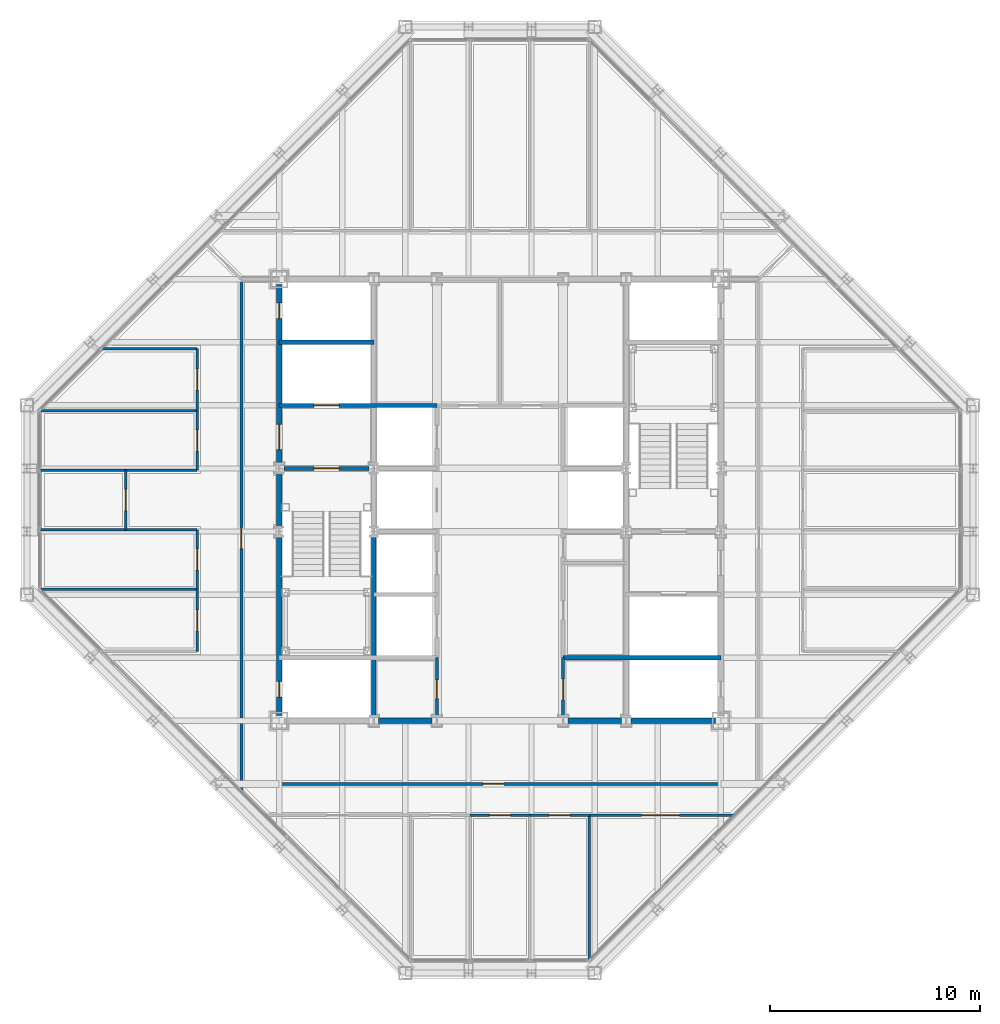
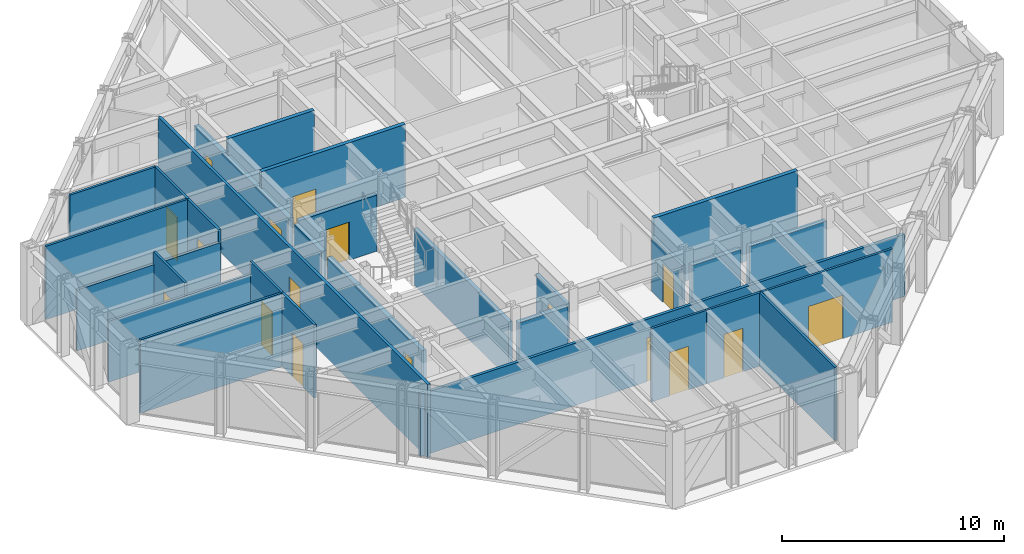
# One storey, part 10 of 15: 29 walls, 17 doors, 17 openings.
"""IFC4 building model written with IfcOpenShell, lengths in metres."""

from ifc_helpers import new_model, si_unit, direction, frame, frame_2d, origin, place, context, subcontext, project, spatial, rectangle, extrude, material, layer, layer_set, type_object, element, fill, save


model = new_model("IFC4")

# Units and contexts
model_context = context("Model", 3, precision=1e-05, world=origin(), true_north=direction((0.0, 1.0)))
body_context = subcontext(model_context, "Body", "Model", "MODEL_VIEW")
ifc_project = project(units=[si_unit("LENGTHUNIT", "METRE"), si_unit("AREAUNIT", "SQUARE_METRE"), si_unit("VOLUMEUNIT", "CUBIC_METRE"), si_unit("PLANEANGLEUNIT", "RADIAN"), si_unit("MASSUNIT", "GRAM", prefix="KILO")], contexts=[model_context])

# Site, building, storey
site_placement = place(None, origin())
site = spatial("IfcSite", under=ifc_project, at=site_placement, CompositionType="ELEMENT")
building_placement = place(site_placement, origin())
building = spatial("IfcBuilding", under=site, at=building_placement, Name="Chuquiago Exchange Tower", CompositionType="ELEMENT")
storey_placement = place(building_placement, frame((0.0, 0.0, 262.199951171875)))
storey = spatial("IfcBuildingStorey", under=building, at=storey_placement, Name="L58", CompositionType="ELEMENT", Elevation=262.199951171875)

# Wall, opening, door
ifc_material_1 = material(Name="Concrete masonry, fully grouted", Category="masonry")
ifc_layer_1 = layer(ifc_material_1, 0.25)
ifc_layer_set_1 = layer_set([ifc_layer_1], Name="W1 core wall 250")
wall_type_1 = type_object("IfcWallType", Name="W1 core wall 250", PredefinedType="SOLIDWALL", material=ifc_layer_set_1)
wall_1_placement = place(storey_placement, frame((12.0, 12.25, 0.0), z_axis=(0.0, 0.0, 1.0), x_axis=(0.0, 1.0, 0.0)))
wall_1 = element("IfcWall", 1, at=wall_1_placement, inside=storey, type_object=wall_type_1, Name="CW-L58-00-0", PredefinedType="SOLIDWALL", context=body_context, shape_type="SweptSolid", body=[
    extrude(rectangle(XDim=8.5, YDim=0.25, at=frame_2d((4.25, 0.0))), origin(), (0.0, 0.0, 1.0), 3.113037109375),
])
opening_1_placement = place(wall_1_placement, frame((0.875, 0.0, 0.0)))
opening_1 = element("IfcOpeningElement", 2, at=opening_1_placement, cuts=wall_1, Name="Opening L58-007", PredefinedType="OPENING", context=body_context, shape_type="SweptSolid", body=[
    extrude(rectangle(XDim=0.75, YDim=2.10009765625, at=frame_2d((0.375, 1.050048828125))), frame((0.0, 0.135009765625, 0.0), z_axis=(0.0, -1.0, 0.0), x_axis=(1.0, 0.0, 0.0)), (0.0, 0.0, 1.0), 0.27001953125),
])
ifc_material_2 = material(Name="Steel door, painted", Category="steel")
door_type_1 = type_object("IfcDoorType", Name="D6 riser access door 750x2100", OperationType="SINGLE_SWING_LEFT", PredefinedType="DOOR", material=ifc_material_2)
door_1_placement = place(opening_1_placement, frame((0.75, 0.0, 0.0), z_axis=(0.0, 0.0, 1.0), x_axis=(-1.0, 0.0, 0.0)))
door_1 = element("IfcDoor", 3, at=door_1_placement, inside=storey, type_object=door_type_1, Name="Riser RW1 door", OperationType="SINGLE_SWING_RIGHT", OverallHeight=2.10009765625, OverallWidth=0.75, PredefinedType="DOOR", context=body_context, shape_type="SweptSolid", body=[
    extrude(rectangle(XDim=0.75, YDim=2.10009765625, at=frame_2d((0.375, 1.050048828125))), frame((0.0, 0.02490234375, 0.0), z_axis=(0.0, -1.0, 0.0), x_axis=(1.0, 0.0, 0.0)), (0.0, 0.0, 1.0), 0.050048828125),
])
fill(opening_1, door_1)

# Wall
wall_2_placement = place(storey_placement, frame((12.0, 21.25, 0.0), z_axis=(0.0, 0.0, 1.0), x_axis=(0.0, 1.0, 0.0)))
element("IfcWall", 4, at=wall_2_placement, inside=storey, type_object=wall_type_1, Name="CW-L58-00-1", PredefinedType="SOLIDWALL", context=body_context, shape_type="SweptSolid", body=[
    extrude(rectangle(XDim=2.5, YDim=0.25, at=frame_2d((1.25, 0.0))), origin(), (0.0, 0.0, 1.0), 3.113037109375),
])

# Wall, openings, doors
wall_3_placement = place(storey_placement, frame((12.0, 24.25, 0.0), z_axis=(0.0, 0.0, 1.0), x_axis=(0.0, 1.0, 0.0)))
wall_3 = element("IfcWall", 5, at=wall_3_placement, inside=storey, type_object=wall_type_1, Name="CW-L58-00-2", PredefinedType="SOLIDWALL", context=body_context, shape_type="SweptSolid", body=[
    extrude(rectangle(XDim=8.5, YDim=0.25, at=frame_2d((4.25, 0.0))), origin(), (0.0, 0.0, 1.0), 3.113037109375),
])
opening_2_placement = place(wall_3_placement, frame((0.64990234375, 0.0, 0.0)))
opening_2 = element("IfcOpeningElement", 6, at=opening_2_placement, cuts=wall_3, Name="Opening L58-002", PredefinedType="OPENING", context=body_context, shape_type="SweptSolid", body=[
    extrude(rectangle(XDim=1.199951171875, YDim=2.10009765625, at=frame_2d((0.60009765625, 1.050048828125))), frame((0.0, 0.135009765625, 0.0), z_axis=(0.0, -1.0, 0.0), x_axis=(1.0, 0.0, 0.0)), (0.0, 0.0, 1.0), 0.27001953125),
])
opening_3_placement = place(wall_3_placement, frame((6.875, 0.0, 0.0)))
opening_3 = element("IfcOpeningElement", 7, at=opening_3_placement, cuts=wall_3, Name="Opening L58-008", PredefinedType="OPENING", context=body_context, shape_type="SweptSolid", body=[
    extrude(rectangle(XDim=0.75, YDim=2.10009765625, at=frame_2d((0.375, 1.050048828125))), frame((0.0, 0.135009765625, 0.0), z_axis=(0.0, -1.0, 0.0), x_axis=(1.0, 0.0, 0.0)), (0.0, 0.0, 1.0), 0.27001953125),
])
ifc_material_3 = material(Name="Steel door, painted", Category="steel")
door_type_2 = type_object("IfcDoorType", Name="D5 firefighting lobby door 1200x2100", OperationType="SINGLE_SWING_LEFT", PredefinedType="DOOR", material=ifc_material_3)
door_2_placement = place(opening_2_placement, frame((1.199951171875, 0.0, 0.0), z_axis=(0.0, 0.0, 1.0), x_axis=(-1.0, 0.0, 0.0)))
door_2 = element("IfcDoor", 8, at=door_2_placement, inside=storey, type_object=door_type_2, Name="Firefighting lobby 1 door", OperationType="SINGLE_SWING_RIGHT", OverallHeight=2.10009765625, OverallWidth=1.199951171875, PredefinedType="DOOR", context=body_context, shape_type="SweptSolid", body=[
    extrude(rectangle(XDim=1.199951171875, YDim=2.10009765625, at=frame_2d((0.60009765625, 1.050048828125))), frame((0.0, 0.02490234375, 0.0), z_axis=(0.0, -1.0, 0.0), x_axis=(1.0, 0.0, 0.0)), (0.0, 0.0, 1.0), 0.050048828125),
])
fill(opening_2, door_2)
door_3_placement = place(opening_3_placement, frame((0.75, 0.0, 0.0), z_axis=(0.0, 0.0, 1.0), x_axis=(-1.0, 0.0, 0.0)))
door_3 = element("IfcDoor", 9, at=door_3_placement, inside=storey, type_object=door_type_1, Name="Riser RW2 door", OperationType="SINGLE_SWING_LEFT", OverallHeight=2.10009765625, OverallWidth=0.75, PredefinedType="DOOR", context=body_context, shape_type="SweptSolid", body=[
    extrude(rectangle(XDim=0.75, YDim=2.10009765625, at=frame_2d((0.375, 1.050048828125))), frame((0.0, 0.02490234375, 0.0), z_axis=(0.0, -1.0, 0.0), x_axis=(1.0, 0.0, 0.0)), (0.0, 0.0, 1.0), 0.050048828125),
])
fill(opening_3, door_3)

# Walls
for number, where, z_axis, x_axis, name in (
    (10, (16.724853515625, 12.0, 0.0), (0.0, 0.0, 1.0), (1.0, 0.0, 0.0), "CW-L58-01-1"),
    (11, (25.724853515625, 12.0, 0.0), (0.0, 0.0, 1.0), (1.0, 0.0, 0.0), "CW-L58-02-0"),
):
    element("IfcWall", number, at=place(storey_placement, frame(where, z_axis=z_axis, x_axis=x_axis)), inside=storey, type_object=wall_type_1, Name=name, PredefinedType="SOLIDWALL", context=body_context, shape_type="SweptSolid", body=[
        extrude(rectangle(XDim=2.55029296875, YDim=0.25, at=frame_2d((1.275146484375, 0.0))), origin(), (0.0, 0.0, 1.0), 3.181640625),
    ])
wall_4_placement = place(storey_placement, frame((28.724853515625, 12.0, 0.0), z_axis=(0.0, 0.0, 1.0), x_axis=(1.0, 0.0, 0.0)))
element("IfcWall", 12, at=wall_4_placement, inside=storey, type_object=wall_type_1, Name="CW-L58-02-1", PredefinedType="SOLIDWALL", context=body_context, shape_type="SweptSolid", body=[
    extrude(rectangle(XDim=4.025146484375, YDim=0.25, at=frame_2d((2.0126953125, 0.0))), origin(), (0.0, 0.0, 1.0), 3.181640625),
])

# Wall, opening, door
ifc_material_4 = material(Name="Gypsum board on steel studs, acoustic insulation", Category="steel")
ifc_layer_2 = layer(ifc_material_4, 0.14990234375)
ifc_layer_set_2 = layer_set([ifc_layer_2], Name="W11 corridor wall 150")
wall_type_2 = type_object("IfcWallType", Name="W11 corridor wall 150", PredefinedType="PARTITIONING", material=ifc_layer_set_2)
wall_5_placement = place(storey_placement, frame((9.885498046875, 9.0, 0.0), z_axis=(0.0, 0.0, 1.0), x_axis=(1.0, 0.0, 0.0)))
wall_5 = element("IfcWall", 13, at=wall_5_placement, inside=storey, type_object=wall_type_2, Name="PW-L58-GS0", PredefinedType="PARTITIONING", context=body_context, shape_type="SweptSolid", body=[
    extrude(rectangle(XDim=25.22900390625, YDim=0.14990234375, at=frame_2d((12.614501953125, 0.0))), origin(), (0.0, 0.0, 1.0), 3.427734375),
])
opening_4_placement = place(wall_5_placement, frame((11.800048828125, 0.0, 0.0)))
opening_4 = element("IfcOpeningElement", 14, at=opening_4_placement, cuts=wall_5, Name="Opening L58-041", PredefinedType="OPENING", context=body_context, shape_type="SweptSolid", body=[
    extrude(rectangle(XDim=1.0, YDim=2.39990234375, at=frame_2d((0.5, 1.199951171875))), frame((0.0, 0.0849609375, 0.0), z_axis=(0.0, -1.0, 0.0), x_axis=(1.0, 0.0, 0.0)), (0.0, 0.0, 1.0), 0.169921875),
])
ifc_material_5 = material(Name="Timber door, laminate faced", Category="wood")
door_type_3 = type_object("IfcDoorType", Name="D9 room door 1000x2400", OperationType="SINGLE_SWING_LEFT", PredefinedType="DOOR", material=ifc_material_5)
door_4_placement = place(opening_4_placement, frame((1.0, 0.0, 0.0), z_axis=(0.0, 0.0, 1.0), x_axis=(-1.0, 0.0, 0.0)))
door_4 = element("IfcDoor", 15, at=door_4_placement, inside=storey, type_object=door_type_3, Name="Team area door", OperationType="SINGLE_SWING_RIGHT", OverallHeight=2.39990234375, OverallWidth=1.0, PredefinedType="DOOR", context=body_context, shape_type="SweptSolid", body=[
    extrude(rectangle(XDim=1.0, YDim=2.39990234375, at=frame_2d((0.5, 1.199951171875))), frame((0.0, 0.02490234375, 0.0), z_axis=(0.0, -1.0, 0.0), x_axis=(1.0, 0.0, 0.0)), (0.0, 0.0, 1.0), 0.050048828125),
])
fill(opening_4, door_4)

wall_6_placement = place(storey_placement, frame((10.199951171875, 8.685546875, 0.0), z_axis=(0.0, 0.0, 1.0), x_axis=(0.0, 1.0, 0.0)))
wall_6 = element("IfcWall", 16, at=wall_6_placement, inside=storey, type_object=wall_type_2, Name="PW-L58-GW0", PredefinedType="PARTITIONING", context=body_context, shape_type="SweptSolid", body=[
    extrude(rectangle(XDim=24.314453125, YDim=0.14990234375, at=frame_2d((12.1572265625, 0.0))), origin(), (0.0, 0.0, 1.0), 4.0400390625),
])
opening_5_placement = place(wall_6_placement, frame((11.5, 0.0, 0.0)))
opening_5 = element("IfcOpeningElement", 17, at=opening_5_placement, cuts=wall_6, Name="Opening L58-042", PredefinedType="OPENING", context=body_context, shape_type="SweptSolid", body=[
    extrude(rectangle(XDim=1.0, YDim=2.39990234375, at=frame_2d((0.5, 1.199951171875))), frame((0.0, 0.0849609375, 0.0), z_axis=(0.0, -1.0, 0.0), x_axis=(1.0, 0.0, 0.0)), (0.0, 0.0, 1.0), 0.169921875),
])
door_5_placement = place(opening_5_placement, origin())
door_5 = element("IfcDoor", 18, at=door_5_placement, inside=storey, type_object=door_type_3, Name="Team area door", OperationType="SINGLE_SWING_LEFT", OverallHeight=2.39990234375, OverallWidth=1.0, PredefinedType="DOOR", context=body_context, shape_type="SweptSolid", body=[
    extrude(rectangle(XDim=1.0, YDim=2.39990234375, at=frame_2d((0.5, 1.199951171875))), frame((0.0, 0.02490234375, 0.0), z_axis=(0.0, -1.0, 0.0), x_axis=(1.0, 0.0, 0.0)), (0.0, 0.0, 1.0), 0.050048828125),
])
fill(opening_5, door_5)

# Wall
ifc_material_6 = material(Name="Concrete masonry, fully grouted", Category="masonry")
ifc_layer_3 = layer(ifc_material_6, 0.199951171875)
ifc_layer_set_3 = layer_set([ifc_layer_3], Name="W2 shaft wall 200")
wall_type_3 = type_object("IfcWallType", Name="W2 shaft wall 200", PredefinedType="SOLIDWALL", material=ifc_layer_set_3)
wall_7_placement = place(storey_placement, frame((25.5, 15.0, 0.0), z_axis=(0.0, 0.0, 1.0), x_axis=(1.0, 0.0, 0.0)))
element("IfcWall", 19, at=wall_7_placement, inside=storey, type_object=wall_type_3, Name="CW-L58-04-0", PredefinedType="SOLIDWALL", context=body_context, shape_type="SweptSolid", body=[
    extrude(rectangle(XDim=7.5, YDim=0.199951171875, at=frame_2d((3.75, 0.0))), origin(), (0.0, 0.0, 1.0), 4.0400390625),
])

# Wall, opening, door
wall_8_placement = place(storey_placement, frame((12.224853515625, 24.0, 0.0), z_axis=(0.0, 0.0, 1.0), x_axis=(1.0, 0.0, 0.0)))
wall_8 = element("IfcWall", 20, at=wall_8_placement, inside=storey, type_object=wall_type_3, Name="CW-L58-05-0", PredefinedType="SOLIDWALL", context=body_context, shape_type="SweptSolid", body=[
    extrude(rectangle(XDim=4.05029296875, YDim=0.199951171875, at=frame_2d((2.025146484375, 0.0))), origin(), (0.0, 0.0, 1.0), 3.090087890625),
])
opening_6_placement = place(wall_8_placement, frame((1.42529296875, 0.0, 0.0)))
opening_6 = element("IfcOpeningElement", 21, at=opening_6_placement, cuts=wall_8, Name="Opening L58-001", PredefinedType="OPENING", context=body_context, shape_type="SweptSolid", body=[
    extrude(rectangle(XDim=1.199951171875, YDim=2.10009765625, at=frame_2d((0.60009765625, 1.050048828125))), frame((0.0, 0.10986328125, 0.0), z_axis=(0.0, -1.0, 0.0), x_axis=(1.0, 0.0, 0.0)), (0.0, 0.0, 1.0), 0.219970703125),
])
ifc_material_7 = material(Name="Steel door, painted", Category="steel")
door_type_4 = type_object("IfcDoorType", Name="D4 stair door 1200x2100", OperationType="SINGLE_SWING_LEFT", PredefinedType="DOOR", material=ifc_material_7)
door_6_placement = place(opening_6_placement, frame((1.199951171875, 0.0, 0.0), z_axis=(0.0, 0.0, 1.0), x_axis=(-1.0, 0.0, 0.0)))
door_6 = element("IfcDoor", 22, at=door_6_placement, inside=storey, type_object=door_type_4, Name="Stair ST1 door", OperationType="SINGLE_SWING_RIGHT", OverallHeight=2.10009765625, OverallWidth=1.199951171875, PredefinedType="DOOR", context=body_context, shape_type="SweptSolid", body=[
    extrude(rectangle(XDim=1.199951171875, YDim=2.10009765625, at=frame_2d((0.60009765625, 1.050048828125))), frame((0.0, 0.02490234375, 0.0), z_axis=(0.0, -1.0, 0.0), x_axis=(1.0, 0.0, 0.0)), (0.0, 0.0, 1.0), 0.050048828125),
])
fill(opening_6, door_6)

wall_9_placement = place(storey_placement, frame((12.0, 27.0, 0.0), z_axis=(0.0, 0.0, 1.0), x_axis=(1.0, 0.0, 0.0)))
wall_9 = element("IfcWall", 23, at=wall_9_placement, inside=storey, type_object=wall_type_3, Name="CW-L58-07-0", PredefinedType="SOLIDWALL", context=body_context, shape_type="SweptSolid", body=[
    extrude(rectangle(XDim=7.5, YDim=0.199951171875, at=frame_2d((3.75, 0.0))), origin(), (0.0, 0.0, 1.0), 4.0400390625),
])
opening_7_placement = place(wall_9_placement, frame((1.64990234375, 0.0, 0.0)))
opening_7 = element("IfcOpeningElement", 24, at=opening_7_placement, cuts=wall_9, Name="Opening L58-005", PredefinedType="OPENING", context=body_context, shape_type="SweptSolid", body=[
    extrude(rectangle(XDim=1.199951171875, YDim=2.10009765625, at=frame_2d((0.60009765625, 1.050048828125))), frame((0.0, 0.10986328125, 0.0), z_axis=(0.0, -1.0, 0.0), x_axis=(1.0, 0.0, 0.0)), (0.0, 0.0, 1.0), 0.219970703125),
])
ifc_material_8 = material(Name="Stainless steel lift landing door", Category="steel")
door_type_5 = type_object("IfcDoorType", Name="LD2 firefighting lift landing door 1200x2100", OperationType="DOUBLE_DOOR_SLIDING", PredefinedType="DOOR", material=ifc_material_8)
door_7_placement = place(opening_7_placement, origin())
door_7 = element("IfcDoor", 25, at=door_7_placement, inside=storey, type_object=door_type_5, Name="Firefighting lift FL1 landing door", OperationType="DOUBLE_DOOR_SLIDING", OverallHeight=2.10009765625, OverallWidth=1.199951171875, PredefinedType="DOOR", context=body_context, shape_type="SweptSolid", body=[
    extrude(rectangle(XDim=1.199951171875, YDim=2.10009765625, at=frame_2d((0.60009765625, 1.050048828125))), frame((0.0, 0.02490234375, 0.0), z_axis=(0.0, -1.0, 0.0), x_axis=(1.0, 0.0, 0.0)), (0.0, 0.0, 1.0), 0.050048828125),
])
fill(opening_7, door_7)

# Walls
wall_10_placement = place(storey_placement, frame((12.0, 30.0, 0.0), z_axis=(0.0, 0.0, 1.0), x_axis=(1.0, 0.0, 0.0)))
element("IfcWall", 26, at=wall_10_placement, inside=storey, type_object=wall_type_3, Name="CW-L58-09-0", PredefinedType="SOLIDWALL", context=body_context, shape_type="SweptSolid", body=[
    extrude(rectangle(XDim=4.5, YDim=0.199951171875, at=frame_2d((2.25, 0.0))), origin(), (0.0, 0.0, 1.0), 4.0400390625),
])
wall_11_placement = place(storey_placement, frame((16.5, 12.25, 0.0), z_axis=(0.0, 0.0, 1.0), x_axis=(0.0, 1.0, 0.0)))
element("IfcWall", 27, at=wall_11_placement, inside=storey, type_object=wall_type_3, Name="CW-L58-13-0", PredefinedType="SOLIDWALL", context=body_context, shape_type="SweptSolid", body=[
    extrude(rectangle(XDim=8.5, YDim=0.199951171875, at=frame_2d((4.25, 0.0))), origin(), (0.0, 0.0, 1.0), 3.113037109375),
])

# Wall, opening, door
ifc_material_9 = material(Name="Gypsum board on steel studs", Category="steel")
ifc_layer_4 = layer(ifc_material_9, 0.14990234375)
ifc_layer_set_4 = layer_set([ifc_layer_4], Name="W3 core partition 150")
wall_type_4 = type_object("IfcWallType", Name="W3 core partition 150", PredefinedType="PARTITIONING", material=ifc_layer_set_4)
wall_12_placement = place(storey_placement, frame((19.5, 12.25, 0.0), z_axis=(0.0, 0.0, 1.0), x_axis=(0.0, 1.0, 0.0)))
wall_12 = element("IfcWall", 28, at=wall_12_placement, inside=storey, type_object=wall_type_4, Name="CW-L58-18-0", PredefinedType="PARTITIONING", context=body_context, shape_type="SweptSolid", body=[
    extrude(rectangle(XDim=2.75, YDim=0.14990234375, at=frame_2d((1.375, 0.0))), origin(), (0.0, 0.0, 1.0), 3.064697265625),
])
opening_8_placement = place(wall_12_placement, frame((0.800048828125, 0.0, 0.0)))
opening_8 = element("IfcOpeningElement", 29, at=opening_8_placement, cuts=wall_12, Name="Opening L58-016", PredefinedType="OPENING", context=body_context, shape_type="SweptSolid", body=[
    extrude(rectangle(XDim=0.89990234375, YDim=2.10009765625, at=frame_2d((0.449951171875, 1.050048828125))), frame((0.0, 0.0849609375, 0.0), z_axis=(0.0, -1.0, 0.0), x_axis=(1.0, 0.0, 0.0)), (0.0, 0.0, 1.0), 0.169921875),
])
ifc_material_10 = material(Name="Timber door, laminate faced", Category="wood")
door_type_6 = type_object("IfcDoorType", Name="D7 toilet door 900x2100", OperationType="SINGLE_SWING_LEFT", PredefinedType="DOOR", material=ifc_material_10)
door_8_placement = place(opening_8_placement, frame((0.89990234375, 0.0, 0.0), z_axis=(0.0, 0.0, 1.0), x_axis=(-1.0, 0.0, 0.0)))
door_8 = element("IfcDoor", 30, at=door_8_placement, inside=storey, type_object=door_type_6, Name="Cleaner door", OperationType="SINGLE_SWING_RIGHT", OverallHeight=2.10009765625, OverallWidth=0.89990234375, PredefinedType="DOOR", context=body_context, shape_type="SweptSolid", body=[
    extrude(rectangle(XDim=0.89990234375, YDim=2.10009765625, at=frame_2d((0.449951171875, 1.050048828125))), frame((0.0, 0.02490234375, 0.0), z_axis=(0.0, -1.0, 0.0), x_axis=(1.0, 0.0, 0.0)), (0.0, 0.0, 1.0), 0.050048828125),
])
fill(opening_8, door_8)

wall_13_placement = place(storey_placement, frame((25.5, 12.25, 0.0), z_axis=(0.0, 0.0, 1.0), x_axis=(0.0, 1.0, 0.0)))
wall_13 = element("IfcWall", 31, at=wall_13_placement, inside=storey, type_object=wall_type_4, Name="CW-L58-21-0", PredefinedType="PARTITIONING", context=body_context, shape_type="SweptSolid", body=[
    extrude(rectangle(XDim=2.75, YDim=0.14990234375, at=frame_2d((1.375, 0.0))), origin(), (0.0, 0.0, 1.0), 3.064697265625),
])
opening_9_placement = place(wall_13_placement, frame((0.75, 0.0, 0.0)))
opening_9 = element("IfcOpeningElement", 32, at=opening_9_placement, cuts=wall_13, Name="Opening L58-013", PredefinedType="OPENING", context=body_context, shape_type="SweptSolid", body=[
    extrude(rectangle(XDim=1.0, YDim=2.10009765625, at=frame_2d((0.5, 1.050048828125))), frame((0.0, 0.0849609375, 0.0), z_axis=(0.0, -1.0, 0.0), x_axis=(1.0, 0.0, 0.0)), (0.0, 0.0, 1.0), 0.169921875),
])
ifc_material_11 = material(Name="Timber door, laminate faced", Category="wood")
door_type_7 = type_object("IfcDoorType", Name="D8 accessible toilet door 1000x2100", OperationType="SLIDING_TO_LEFT", PredefinedType="DOOR", material=ifc_material_11)
door_9_placement = place(opening_9_placement, origin())
door_9 = element("IfcDoor", 33, at=door_9_placement, inside=storey, type_object=door_type_7, Name="Accessible WC door", OperationType="SLIDING_TO_LEFT", OverallHeight=2.10009765625, OverallWidth=1.0, PredefinedType="DOOR", context=body_context, shape_type="SweptSolid", body=[
    extrude(rectangle(XDim=1.0, YDim=2.10009765625, at=frame_2d((0.5, 1.050048828125))), frame((0.0, 0.02490234375, 0.0), z_axis=(0.0, -1.0, 0.0), x_axis=(1.0, 0.0, 0.0)), (0.0, 0.0, 1.0), 0.050048828125),
])
fill(opening_9, door_9)

# Wall
ifc_material_12 = material(Name="Gypsum board on steel studs", Category="steel")
ifc_layer_5 = layer(ifc_material_12, 0.1201171875)
ifc_layer_set_5 = layer_set([ifc_layer_5], Name="W4 partition 120")
wall_type_5 = type_object("IfcWallType", Name="W4 partition 120", PredefinedType="PARTITIONING", material=ifc_layer_set_5)
wall_14_placement = place(storey_placement, frame((26.75146484375, 0.666015625, 0.0), z_axis=(0.0, 0.0, 1.0), x_axis=(0.0, 1.0, 0.0)))
element("IfcWall", 34, at=wall_14_placement, inside=storey, type_object=wall_type_5, Name="PW-L58-S02675", PredefinedType="PARTITIONING", context=body_context, shape_type="SweptSolid", body=[
    extrude(rectangle(XDim=6.833984375, YDim=0.1201171875, at=frame_2d((3.4169921875, 0.0))), origin(), (0.0, 0.0, 1.0), 4.0400390625),
])

# Wall, opening, door
wall_15_placement = place(storey_placement, frame((21.082763671875, 7.5, 0.0), z_axis=(0.0, 0.0, 1.0), x_axis=(1.0, 0.0, 0.0)))
wall_15 = element("IfcWall", 35, at=wall_15_placement, inside=storey, type_object=wall_type_5, Name="PW-L58-SF02108", PredefinedType="PARTITIONING", context=body_context, shape_type="SweptSolid", body=[
    extrude(rectangle(XDim=2.83447265625, YDim=0.1201171875, at=frame_2d((1.417236328125, 0.0))), origin(), (0.0, 0.0, 1.0), 4.0400390625),
])
opening_10_placement = place(wall_15_placement, frame((0.917236328125, 0.0, 0.0)))
opening_10 = element("IfcOpeningElement", 36, at=opening_10_placement, cuts=wall_15, Name="Opening L58-023", PredefinedType="OPENING", context=body_context, shape_type="SweptSolid", body=[
    extrude(rectangle(XDim=1.0, YDim=2.39990234375, at=frame_2d((0.5, 1.199951171875))), frame((0.0, 0.070068359375, 0.0), z_axis=(0.0, -1.0, 0.0), x_axis=(1.0, 0.0, 0.0)), (0.0, 0.0, 1.0), 0.14013671875),
])
door_10_placement = place(opening_10_placement, frame((1.0, 0.0, 0.0), z_axis=(0.0, 0.0, 1.0), x_axis=(-1.0, 0.0, 0.0)))
door_10 = element("IfcDoor", 37, at=door_10_placement, inside=storey, type_object=door_type_3, Name="Executive office door", OperationType="SINGLE_SWING_RIGHT", OverallHeight=2.39990234375, OverallWidth=1.0, PredefinedType="DOOR", context=body_context, shape_type="SweptSolid", body=[
    extrude(rectangle(XDim=1.0, YDim=2.39990234375, at=frame_2d((0.5, 1.199951171875))), frame((0.0, 0.02490234375, 0.0), z_axis=(0.0, -1.0, 0.0), x_axis=(1.0, 0.0, 0.0)), (0.0, 0.0, 1.0), 0.050048828125),
])
fill(opening_10, door_10)

wall_16_placement = place(storey_placement, frame((23.917236328125, 7.5, 0.0), z_axis=(0.0, 0.0, 1.0), x_axis=(1.0, 0.0, 0.0)))
wall_16 = element("IfcWall", 38, at=wall_16_placement, inside=storey, type_object=wall_type_5, Name="PW-L58-SF02392", PredefinedType="PARTITIONING", context=body_context, shape_type="SweptSolid", body=[
    extrude(rectangle(XDim=2.834228515625, YDim=0.1201171875, at=frame_2d((1.4169921875, 0.0))), origin(), (0.0, 0.0, 1.0), 4.0400390625),
])
opening_11_placement = place(wall_16_placement, frame((0.9169921875, 0.0, 0.0)))
opening_11 = element("IfcOpeningElement", 39, at=opening_11_placement, cuts=wall_16, Name="Opening L58-024", PredefinedType="OPENING", context=body_context, shape_type="SweptSolid", body=[
    extrude(rectangle(XDim=1.0, YDim=2.39990234375, at=frame_2d((0.5, 1.199951171875))), frame((0.0, 0.070068359375, 0.0), z_axis=(0.0, -1.0, 0.0), x_axis=(1.0, 0.0, 0.0)), (0.0, 0.0, 1.0), 0.14013671875),
])
ifc_material_13 = material(Name="Timber frame door, full height glazed panel", Category="wood")
door_type_8 = type_object("IfcDoorType", Name="D14 glazed meeting room door 1000x2400", OperationType="SINGLE_SWING_LEFT", PredefinedType="DOOR", material=ifc_material_13)
door_11_placement = place(opening_11_placement, frame((1.0, 0.0, 0.0), z_axis=(0.0, 0.0, 1.0), x_axis=(-1.0, 0.0, 0.0)))
door_11 = element("IfcDoor", 40, at=door_11_placement, inside=storey, type_object=door_type_8, Name="Meeting room door", OperationType="SINGLE_SWING_RIGHT", OverallHeight=2.39990234375, OverallWidth=1.0, PredefinedType="DOOR", context=body_context, shape_type="SweptSolid", body=[
    extrude(rectangle(XDim=1.0, YDim=2.39990234375, at=frame_2d((0.5, 1.199951171875))), frame((0.0, 0.02490234375, 0.0), z_axis=(0.0, -1.0, 0.0), x_axis=(1.0, 0.0, 0.0)), (0.0, 0.0, 1.0), 0.050048828125),
])
fill(opening_11, door_11)

wall_17_placement = place(storey_placement, frame((26.75146484375, 7.5, 0.0), z_axis=(0.0, 0.0, 1.0), x_axis=(1.0, 0.0, 0.0)))
wall_17 = element("IfcWall", 41, at=wall_17_placement, inside=storey, type_object=wall_type_5, Name="PW-L58-SF02675", PredefinedType="PARTITIONING", context=body_context, shape_type="SweptSolid", body=[
    extrude(rectangle(XDim=6.863037109375, YDim=0.1201171875, at=frame_2d((3.431640625, 0.0))), origin(), (0.0, 0.0, 1.0), 4.0400390625),
])
opening_12_placement = place(wall_17_placement, frame((2.479248046875, 0.0, 0.0)))
opening_12 = element("IfcOpeningElement", 42, at=opening_12_placement, cuts=wall_17, Name="Opening L58-025", PredefinedType="OPENING", context=body_context, shape_type="SweptSolid", body=[
    extrude(rectangle(XDim=1.800048828125, YDim=2.39990234375, at=frame_2d((0.89990234375, 1.199951171875))), frame((0.0, 0.070068359375, 0.0), z_axis=(0.0, -1.0, 0.0), x_axis=(1.0, 0.0, 0.0)), (0.0, 0.0, 1.0), 0.14013671875),
])
ifc_material_14 = material(Name="Timber door pair, laminate faced", Category="wood")
door_type_9 = type_object("IfcDoorType", Name="D15 double room door 1800x2400", OperationType="DOUBLE_DOOR_DOUBLE_SWING", PredefinedType="DOOR", material=ifc_material_14)
door_12_placement = place(opening_12_placement, origin())
door_12 = element("IfcDoor", 43, at=door_12_placement, inside=storey, type_object=door_type_9, Name="Dining room door", OperationType="DOUBLE_DOOR_DOUBLE_SWING", OverallHeight=2.39990234375, OverallWidth=1.800048828125, PredefinedType="DOOR", context=body_context, shape_type="SweptSolid", body=[
    extrude(rectangle(XDim=1.800048828125, YDim=2.39990234375, at=frame_2d((0.89990234375, 1.199951171875))), frame((0.0, 0.02490234375, 0.0), z_axis=(0.0, -1.0, 0.0), x_axis=(1.0, 0.0, 0.0)), (0.0, 0.0, 1.0), 0.050048828125),
])
fill(opening_12, door_12)

# Walls
wall_18_placement = place(storey_placement, frame((0.666015625, 18.24853515625, 0.0), z_axis=(0.0, 0.0, 1.0), x_axis=(1.0, 0.0, 0.0)))
element("IfcWall", 44, at=wall_18_placement, inside=storey, type_object=wall_type_5, Name="PW-L58-W01825", PredefinedType="PARTITIONING", context=body_context, shape_type="SweptSolid", body=[
    extrude(rectangle(XDim=7.43408203125, YDim=0.1201171875, at=frame_2d((3.717041015625, 0.0))), origin(), (0.0, 0.0, 1.0), 4.0400390625),
])
for number, where, z_axis, x_axis, name in (
    (45, (0.652587890625, 21.082763671875, 0.0), (0.0, 0.0, 1.0), (1.0, 0.0, 0.0), "PW-L58-W02108"),
    (46, (0.652587890625, 23.917236328125, 0.0), (0.0, 0.0, 1.0), (1.0, 0.0, 0.0), "PW-L58-W02392"),
):
    element("IfcWall", number, at=place(storey_placement, frame(where, z_axis=z_axis, x_axis=x_axis)), inside=storey, type_object=wall_type_5, Name=name, PredefinedType="PARTITIONING", context=body_context, shape_type="SweptSolid", body=[
        extrude(rectangle(XDim=7.447509765625, YDim=0.1201171875, at=frame_2d((3.7236328125, 0.0))), origin(), (0.0, 0.0, 1.0), 3.35693359375),
    ])
wall_19_placement = place(storey_placement, frame((0.666015625, 26.75146484375, 0.0), z_axis=(0.0, 0.0, 1.0), x_axis=(1.0, 0.0, 0.0)))
element("IfcWall", 47, at=wall_19_placement, inside=storey, type_object=wall_type_5, Name="PW-L58-W02675", PredefinedType="PARTITIONING", context=body_context, shape_type="SweptSolid", body=[
    extrude(rectangle(XDim=7.43408203125, YDim=0.1201171875, at=frame_2d((3.717041015625, 0.0))), origin(), (0.0, 0.0, 1.0), 4.0400390625),
])
wall_20_placement = place(storey_placement, frame((3.607421875, 29.69287109375, 0.0), z_axis=(0.0, 0.0, 1.0), x_axis=(1.0, 0.0, 0.0)))
element("IfcWall", 48, at=wall_20_placement, inside=storey, type_object=wall_type_5, Name="PW-L58-W02969", PredefinedType="PARTITIONING", context=body_context, shape_type="SweptSolid", body=[
    extrude(rectangle(XDim=4.49267578125, YDim=0.1201171875, at=frame_2d((2.246337890625, 0.0))), origin(), (0.0, 0.0, 1.0), 4.0400390625),
])

# Wall, opening, door
wall_21_placement = place(storey_placement, frame((8.10009765625, 15.30712890625, 0.0), z_axis=(0.0, 0.0, 1.0), x_axis=(0.0, 1.0, 0.0)))
wall_21 = element("IfcWall", 49, at=wall_21_placement, inside=storey, type_object=wall_type_5, Name="PW-L58-WF01531", PredefinedType="PARTITIONING", context=body_context, shape_type="SweptSolid", body=[
    extrude(rectangle(XDim=2.94140625, YDim=0.1201171875, at=frame_2d((1.470703125, 0.0))), origin(), (0.0, 0.0, 1.0), 4.0400390625),
])
opening_13_placement = place(wall_21_placement, frame((0.970703125, 0.0, 0.0)))
opening_13 = element("IfcOpeningElement", 50, at=opening_13_placement, cuts=wall_21, Name="Opening L58-036", PredefinedType="OPENING", context=body_context, shape_type="SweptSolid", body=[
    extrude(rectangle(XDim=1.0, YDim=2.39990234375, at=frame_2d((0.5, 1.199951171875))), frame((0.0, 0.070068359375, 0.0), z_axis=(0.0, -1.0, 0.0), x_axis=(1.0, 0.0, 0.0)), (0.0, 0.0, 1.0), 0.14013671875),
])
door_13_placement = place(opening_13_placement, origin())
door_13 = element("IfcDoor", 51, at=door_13_placement, inside=storey, type_object=door_type_3, Name="Executive office door", OperationType="SINGLE_SWING_RIGHT", OverallHeight=2.39990234375, OverallWidth=1.0, PredefinedType="DOOR", context=body_context, shape_type="SweptSolid", body=[
    extrude(rectangle(XDim=1.0, YDim=2.39990234375, at=frame_2d((0.5, 1.199951171875))), frame((0.0, 0.02490234375, 0.0), z_axis=(0.0, -1.0, 0.0), x_axis=(1.0, 0.0, 0.0)), (0.0, 0.0, 1.0), 0.050048828125),
])
fill(opening_13, door_13)

wall_22_placement = place(storey_placement, frame((8.10009765625, 18.24853515625, 0.0), z_axis=(0.0, 0.0, 1.0), x_axis=(0.0, 1.0, 0.0)))
wall_22 = element("IfcWall", 52, at=wall_22_placement, inside=storey, type_object=wall_type_5, Name="PW-L58-WF01825", PredefinedType="PARTITIONING", context=body_context, shape_type="SweptSolid", body=[
    extrude(rectangle(XDim=2.834228515625, YDim=0.1201171875, at=frame_2d((1.4169921875, 0.0))), origin(), (0.0, 0.0, 1.0), 4.0400390625),
])
opening_14_placement = place(wall_22_placement, frame((0.9169921875, 0.0, 0.0)))
opening_14 = element("IfcOpeningElement", 53, at=opening_14_placement, cuts=wall_22, Name="Opening L58-037", PredefinedType="OPENING", context=body_context, shape_type="SweptSolid", body=[
    extrude(rectangle(XDim=1.0, YDim=2.39990234375, at=frame_2d((0.5, 1.199951171875))), frame((0.0, 0.070068359375, 0.0), z_axis=(0.0, -1.0, 0.0), x_axis=(1.0, 0.0, 0.0)), (0.0, 0.0, 1.0), 0.14013671875),
])
door_14_placement = place(opening_14_placement, origin())
door_14 = element("IfcDoor", 54, at=door_14_placement, inside=storey, type_object=door_type_3, Name="Office door", OperationType="SINGLE_SWING_LEFT", OverallHeight=2.39990234375, OverallWidth=1.0, PredefinedType="DOOR", context=body_context, shape_type="SweptSolid", body=[
    extrude(rectangle(XDim=1.0, YDim=2.39990234375, at=frame_2d((0.5, 1.199951171875))), frame((0.0, 0.02490234375, 0.0), z_axis=(0.0, -1.0, 0.0), x_axis=(1.0, 0.0, 0.0)), (0.0, 0.0, 1.0), 0.050048828125),
])
fill(opening_14, door_14)

wall_23_placement = place(storey_placement, frame((4.699951171875, 21.082763671875, 0.0), z_axis=(0.0, 0.0, 1.0), x_axis=(0.0, 1.0, 0.0)))
wall_23 = element("IfcWall", 55, at=wall_23_placement, inside=storey, type_object=wall_type_5, Name="PW-L58-WF02108", PredefinedType="PARTITIONING", context=body_context, shape_type="SweptSolid", body=[
    extrude(rectangle(XDim=2.83447265625, YDim=0.1201171875, at=frame_2d((1.417236328125, 0.0))), origin(), (0.0, 0.0, 1.0), 4.0400390625),
])
opening_15_placement = place(wall_23_placement, frame((0.917236328125, 0.0, 0.0)))
opening_15 = element("IfcOpeningElement", 56, at=opening_15_placement, cuts=wall_23, Name="Opening L58-038", PredefinedType="OPENING", context=body_context, shape_type="SweptSolid", body=[
    extrude(rectangle(XDim=1.0, YDim=2.39990234375, at=frame_2d((0.5, 1.199951171875))), frame((0.0, 0.070068359375, 0.0), z_axis=(0.0, -1.0, 0.0), x_axis=(1.0, 0.0, 0.0)), (0.0, 0.0, 1.0), 0.14013671875),
])
door_15_placement = place(opening_15_placement, origin())
door_15 = element("IfcDoor", 57, at=door_15_placement, inside=storey, type_object=door_type_3, Name="Pantry door", OperationType="SINGLE_SWING_LEFT", OverallHeight=2.39990234375, OverallWidth=1.0, PredefinedType="DOOR", context=body_context, shape_type="SweptSolid", body=[
    extrude(rectangle(XDim=1.0, YDim=2.39990234375, at=frame_2d((0.5, 1.199951171875))), frame((0.0, 0.02490234375, 0.0), z_axis=(0.0, -1.0, 0.0), x_axis=(1.0, 0.0, 0.0)), (0.0, 0.0, 1.0), 0.050048828125),
])
fill(opening_15, door_15)

wall_24_placement = place(storey_placement, frame((8.10009765625, 23.917236328125, 0.0), z_axis=(0.0, 0.0, 1.0), x_axis=(0.0, 1.0, 0.0)))
wall_24 = element("IfcWall", 58, at=wall_24_placement, inside=storey, type_object=wall_type_5, Name="PW-L58-WF02392", PredefinedType="PARTITIONING", context=body_context, shape_type="SweptSolid", body=[
    extrude(rectangle(XDim=2.834228515625, YDim=0.1201171875, at=frame_2d((1.4169921875, 0.0))), origin(), (0.0, 0.0, 1.0), 4.0400390625),
])
opening_16_placement = place(wall_24_placement, frame((0.9169921875, 0.0, 0.0)))
opening_16 = element("IfcOpeningElement", 59, at=opening_16_placement, cuts=wall_24, Name="Opening L58-039", PredefinedType="OPENING", context=body_context, shape_type="SweptSolid", body=[
    extrude(rectangle(XDim=1.0, YDim=2.39990234375, at=frame_2d((0.5, 1.199951171875))), frame((0.0, 0.070068359375, 0.0), z_axis=(0.0, -1.0, 0.0), x_axis=(1.0, 0.0, 0.0)), (0.0, 0.0, 1.0), 0.14013671875),
])
door_16_placement = place(opening_16_placement, origin())
door_16 = element("IfcDoor", 60, at=door_16_placement, inside=storey, type_object=door_type_3, Name="Office door", OperationType="SINGLE_SWING_LEFT", OverallHeight=2.39990234375, OverallWidth=1.0, PredefinedType="DOOR", context=body_context, shape_type="SweptSolid", body=[
    extrude(rectangle(XDim=1.0, YDim=2.39990234375, at=frame_2d((0.5, 1.199951171875))), frame((0.0, 0.02490234375, 0.0), z_axis=(0.0, -1.0, 0.0), x_axis=(1.0, 0.0, 0.0)), (0.0, 0.0, 1.0), 0.050048828125),
])
fill(opening_16, door_16)

wall_25_placement = place(storey_placement, frame((8.10009765625, 26.75146484375, 0.0), z_axis=(0.0, 0.0, 1.0), x_axis=(0.0, 1.0, 0.0)))
wall_25 = element("IfcWall", 61, at=wall_25_placement, inside=storey, type_object=wall_type_5, Name="PW-L58-WF02675", PredefinedType="PARTITIONING", context=body_context, shape_type="SweptSolid", body=[
    extrude(rectangle(XDim=2.94140625, YDim=0.1201171875, at=frame_2d((1.470703125, 0.0))), origin(), (0.0, 0.0, 1.0), 4.0400390625),
])
opening_17_placement = place(wall_25_placement, frame((0.970703125, 0.0, 0.0)))
opening_17 = element("IfcOpeningElement", 62, at=opening_17_placement, cuts=wall_25, Name="Opening L58-040", PredefinedType="OPENING", context=body_context, shape_type="SweptSolid", body=[
    extrude(rectangle(XDim=1.0, YDim=2.39990234375, at=frame_2d((0.5, 1.199951171875))), frame((0.0, 0.070068359375, 0.0), z_axis=(0.0, -1.0, 0.0), x_axis=(1.0, 0.0, 0.0)), (0.0, 0.0, 1.0), 0.14013671875),
])
door_17_placement = place(opening_17_placement, origin())
door_17 = element("IfcDoor", 63, at=door_17_placement, inside=storey, type_object=door_type_3, Name="Executive office door", OperationType="SINGLE_SWING_LEFT", OverallHeight=2.39990234375, OverallWidth=1.0, PredefinedType="DOOR", context=body_context, shape_type="SweptSolid", body=[
    extrude(rectangle(XDim=1.0, YDim=2.39990234375, at=frame_2d((0.5, 1.199951171875))), frame((0.0, 0.02490234375, 0.0), z_axis=(0.0, -1.0, 0.0), x_axis=(1.0, 0.0, 0.0)), (0.0, 0.0, 1.0), 0.050048828125),
])
fill(opening_17, door_17)

save(model, "model.ifc")
